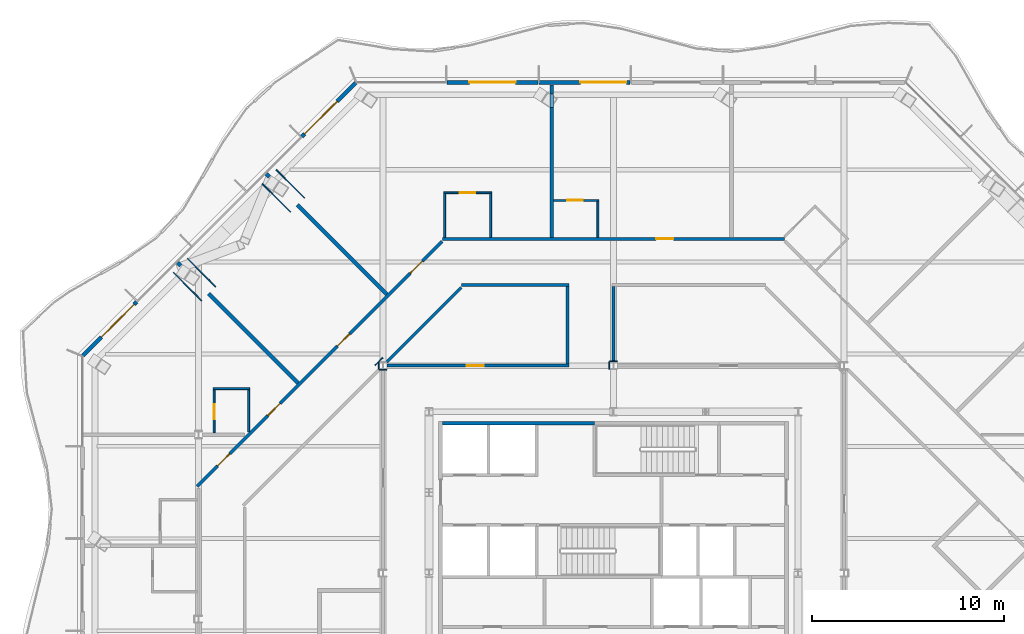
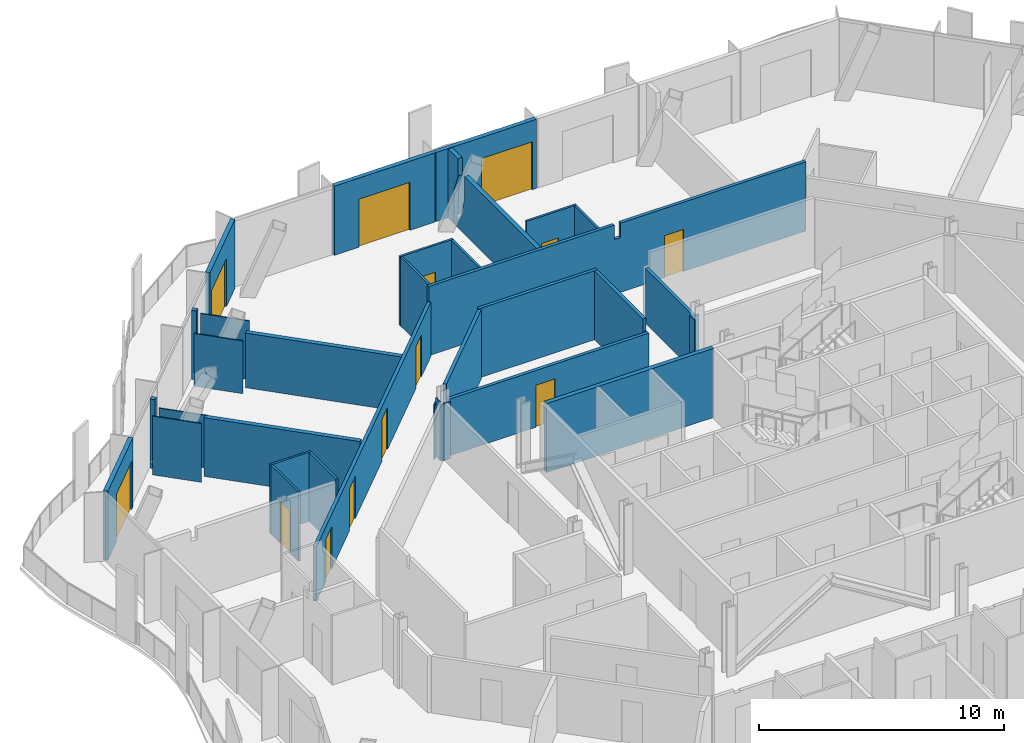
# One storey, part 12 of 21: 35 walls, 13 doors, 13 openings.
"""IFC4 building model written with IfcOpenShell, lengths in metres."""

from ifc_helpers import new_model, si_unit, direction, frame, frame_2d, origin, place, context, subcontext, project, spatial, polyline, rectangle, outline, extrude, material, layer, layer_set, type_object, element, fill, save


model = new_model("IFC4")

# Units and contexts
model_context = context("Model", 3, precision=1e-05, world=origin(), true_north=direction((0.0, 1.0)))
body_context = subcontext(model_context, "Body", "Model", "MODEL_VIEW")
ifc_project = project(units=[si_unit("LENGTHUNIT", "METRE"), si_unit("AREAUNIT", "SQUARE_METRE"), si_unit("VOLUMEUNIT", "CUBIC_METRE"), si_unit("PLANEANGLEUNIT", "RADIAN"), si_unit("MASSUNIT", "GRAM", prefix="KILO")], contexts=[model_context])

# Site, building, storey
site_placement = place(None, origin())
site = spatial("IfcSite", under=ifc_project, at=site_placement, CompositionType="ELEMENT")
building_placement = place(site_placement, origin())
building = spatial("IfcBuilding", under=site, at=building_placement, Name="Cairn Pilgrim Tower", CompositionType="ELEMENT")
storey_placement = place(building_placement, frame((0.0, 0.0, 179.39990234375)))
storey = spatial("IfcBuildingStorey", under=building, at=storey_placement, Name="L45", CompositionType="ELEMENT", Elevation=179.39990234375)

# Wall, opening, door
ifc_material_1 = material(Name="Bronze anodised aluminium insulated sandwich panel with mineral wool fill", Category="aluminium")
ifc_layer_1 = layer(ifc_material_1, 0.199951171875)
ifc_layer_set_1 = layer_set([ifc_layer_1], Name="BRONZE INFILL FRAME WALL 200")
wall_type_1 = type_object("IfcWallType", Name="BRONZE INFILL FRAME WALL 200", PredefinedType="NOTDEFINED", material=ifc_layer_set_1)
wall_1_placement = place(storey_placement, frame((8.070068359375, 27.949951171875, 0.0), z_axis=(0.0, 0.0, 1.0), x_axis=(-1.0, 0.0, 0.0)))
wall_1 = element("IfcWall", 1, at=wall_1_placement, inside=storey, type_object=wall_type_1, Name="Bronze infill frame wall IW-N4", PredefinedType="NOTDEFINED", context=body_context, shape_type="SweptSolid", body=[
    extrude(rectangle(XDim=4.739990234375, YDim=0.199951171875, at=frame_2d((2.3701171875, 0.0))), origin(), (0.0, 0.0, 1.0), 3.4501953125),
])
opening_1_placement = place(wall_1_placement, frame((0.199951171875, 0.0, 0.0)))
opening_1 = element("IfcOpeningElement", 2, at=opening_1_placement, cuts=wall_1, Name="Opening 4510B2", PredefinedType="OPENING", context=body_context, shape_type="SweptSolid", body=[
    extrude(rectangle(XDim=2.39990234375, YDim=2.39990234375, at=frame_2d((1.199951171875, 1.199951171875))), frame((0.0, 0.10986328125, 0.0), z_axis=(0.0, -1.0, 0.0), x_axis=(1.0, 0.0, 0.0)), (0.0, 0.0, 1.0), 0.219970703125),
])
ifc_material_2 = material(Name="Bronze anodised aluminium frame with tinted low-E glass", Category="aluminium")
door_type_1 = type_object("IfcDoorType", Name="BALCONY SLIDING DOOR 2400x2400", OperationType="DOUBLE_DOOR_SLIDING", PredefinedType="DOOR", material=ifc_material_2)
door_1_placement = place(opening_1_placement, origin())
door_1 = element("IfcDoor", 3, at=door_1_placement, inside=storey, type_object=door_type_1, Name="Balcony sliding door 4510B2", OperationType="SINGLE_SWING_LEFT", OverallHeight=2.39990234375, OverallWidth=2.39990234375, PredefinedType="DOOR", context=body_context, shape_type="SweptSolid", body=[
    extrude(rectangle(XDim=2.39990234375, YDim=2.39990234375, at=frame_2d((1.199951171875, 1.199951171875))), frame((0.0, 0.02490234375, 0.0), z_axis=(0.0, -1.0, 0.0), x_axis=(1.0, 0.0, 0.0)), (0.0, 0.0, 1.0), 0.050048828125),
])
fill(opening_1, door_1)

wall_2_placement = place(storey_placement, frame((3.27001953125, 27.949951171875, 0.0), z_axis=(0.0, 0.0, 1.0), x_axis=(-1.0, 0.0, 0.0)))
wall_2 = element("IfcWall", 4, at=wall_2_placement, inside=storey, type_object=wall_type_1, Name="Bronze infill frame wall IW-N5", PredefinedType="NOTDEFINED", context=body_context, shape_type="SweptSolid", body=[
    extrude(rectangle(XDim=4.739990234375, YDim=0.199951171875, at=frame_2d((2.3701171875, 0.0))), origin(), (0.0, 0.0, 1.0), 3.4501953125),
])
opening_2_placement = place(wall_2_placement, frame((1.170166015625, 0.0, 0.0)))
opening_2 = element("IfcOpeningElement", 5, at=opening_2_placement, cuts=wall_2, Name="Opening 4511B", PredefinedType="OPENING", context=body_context, shape_type="SweptSolid", body=[
    extrude(rectangle(XDim=2.39990234375, YDim=2.39990234375, at=frame_2d((1.199951171875, 1.199951171875))), frame((0.0, 0.10986328125, 0.0), z_axis=(0.0, -1.0, 0.0), x_axis=(1.0, 0.0, 0.0)), (0.0, 0.0, 1.0), 0.219970703125),
])
door_2_placement = place(opening_2_placement, origin())
door_2 = element("IfcDoor", 6, at=door_2_placement, inside=storey, type_object=door_type_1, Name="Balcony sliding door 4511B", OperationType="SINGLE_SWING_LEFT", OverallHeight=2.39990234375, OverallWidth=2.39990234375, PredefinedType="DOOR", context=body_context, shape_type="SweptSolid", body=[
    extrude(rectangle(XDim=2.39990234375, YDim=2.39990234375, at=frame_2d((1.199951171875, 1.199951171875))), frame((0.0, 0.02490234375, 0.0), z_axis=(0.0, -1.0, 0.0), x_axis=(1.0, 0.0, 0.0)), (0.0, 0.0, 1.0), 0.050048828125),
])
fill(opening_2, door_2)

wall_3_placement = place(storey_placement, frame((-6.224609375, 27.921630859375, 0.0), z_axis=(0.0, 0.0, 1.0), x_axis=(-0.707137595296, -0.707075965734, 0.0)))
wall_3 = element("IfcWall", 7, at=wall_3_placement, inside=storey, type_object=wall_type_1, Name="Bronze infill frame wall IW-NW1", PredefinedType="NOTDEFINED", context=body_context, shape_type="SweptSolid", body=[
    extrude(rectangle(XDim=3.96142578125, YDim=0.199951171875, at=frame_2d((1.980712890625, 0.0))), origin(), (0.0, 0.0, 1.0), 3.4501953125),
])
opening_3_placement = place(wall_3_placement, frame((1.361572265625, 0.0, 0.0)))
opening_3 = element("IfcOpeningElement", 8, at=opening_3_placement, cuts=wall_3, Name="Opening 4511B2", PredefinedType="OPENING", context=body_context, shape_type="SweptSolid", body=[
    extrude(rectangle(XDim=2.39990234375, YDim=2.39990234375, at=frame_2d((1.199951171875, 1.199951171875))), frame((0.0, 0.10986328125, 0.0), z_axis=(0.0, -1.0, 0.0), x_axis=(1.0, 0.0, 0.0)), (0.0, 0.0, 1.0), 0.219970703125),
])
door_3_placement = place(opening_3_placement, origin())
door_3 = element("IfcDoor", 9, at=door_3_placement, inside=storey, type_object=door_type_1, Name="Balcony sliding door 4511B2", OperationType="SINGLE_SWING_LEFT", OverallHeight=2.39990234375, OverallWidth=2.39990234375, PredefinedType="DOOR", context=body_context, shape_type="SweptSolid", body=[
    extrude(rectangle(XDim=2.39990234375, YDim=2.39990234375, at=frame_2d((1.199951171875, 1.199951171875))), frame((0.0, 0.02490234375, 0.0), z_axis=(0.0, -1.0, 0.0), x_axis=(1.0, 0.0, 0.0)), (0.0, 0.0, 1.0), 0.050048828125),
])
fill(opening_3, door_3)

wall_4_placement = place(storey_placement, frame((-17.62060546875, 16.52587890625, 0.0), z_axis=(0.0, 0.0, 1.0), x_axis=(-0.707075965734, -0.707137595296, 0.0)))
wall_4 = element("IfcWall", 10, at=wall_4_placement, inside=storey, type_object=wall_type_1, Name="Bronze infill frame wall IW-NW5", PredefinedType="NOTDEFINED", context=body_context, shape_type="SweptSolid", body=[
    extrude(rectangle(XDim=3.96142578125, YDim=0.199951171875, at=frame_2d((1.980712890625, 0.0))), origin(), (0.0, 0.0, 1.0), 3.4501953125),
])
opening_4_placement = place(wall_4_placement, frame((0.199951171875, 0.0, 0.0)))
opening_4 = element("IfcOpeningElement", 11, at=opening_4_placement, cuts=wall_4, Name="Opening 4513B", PredefinedType="OPENING", context=body_context, shape_type="SweptSolid", body=[
    extrude(rectangle(XDim=2.39990234375, YDim=2.39990234375, at=frame_2d((1.199951171875, 1.199951171875))), frame((0.0, 0.10986328125, 0.0), z_axis=(0.0, -1.0, 0.0), x_axis=(1.0, 0.0, 0.0)), (0.0, 0.0, 1.0), 0.219970703125),
])
door_4_placement = place(opening_4_placement, origin())
door_4 = element("IfcDoor", 12, at=door_4_placement, inside=storey, type_object=door_type_1, Name="Balcony sliding door 4513B", OperationType="SINGLE_SWING_LEFT", OverallHeight=2.39990234375, OverallWidth=2.39990234375, PredefinedType="DOOR", context=body_context, shape_type="SweptSolid", body=[
    extrude(rectangle(XDim=2.39990234375, YDim=2.39990234375, at=frame_2d((1.199951171875, 1.199951171875))), frame((0.0, 0.02490234375, 0.0), z_axis=(0.0, -1.0, 0.0), x_axis=(1.0, 0.0, 0.0)), (0.0, 0.0, 1.0), 0.050048828125),
])
fill(opening_4, door_4)

# Wall
ifc_material_3 = material(Name="Concrete C32/40", Category="concrete")
ifc_layer_2 = layer(ifc_material_3, 0.199951171875)
ifc_layer_set_2 = layer_set([ifc_layer_2], Name="CORE OUTER WALL 200 EI 120")
wall_type_2 = type_object("IfcWallType", Name="CORE OUTER WALL 200 EI 120", PredefinedType="SOLIDWALL", material=ifc_layer_set_2)
wall_5_placement = place(storey_placement, frame((-1.699951171875, 10.199951171875, 0.0), z_axis=(0.0, 0.0, 1.0), x_axis=(1.0, 0.0, 0.0)))
element("IfcWall", 13, at=wall_5_placement, inside=storey, type_object=wall_type_2, Name="CW:L45:H12-1", PredefinedType="SOLIDWALL", context=body_context, shape_type="SweptSolid", body=[
    extrude(rectangle(XDim=7.89990234375, YDim=0.199951171875, at=frame_2d((3.949951171875, 0.0))), origin(), (0.0, 0.0, 1.0), 3.4501953125),
])

# Wall, opening, door
ifc_material_4 = material(Name="Gypsum partition")
ifc_layer_3 = layer(ifc_material_4, 0.10009765625)
ifc_layer_set_3 = layer_set([ifc_layer_3], Name="PARTITION 100 DRYWALL")
wall_type_3 = type_object("IfcWallType", Name="PARTITION 100 DRYWALL", PredefinedType="PARTITIONING", material=ifc_layer_set_3)
wall_6_placement = place(storey_placement, frame((-13.593994140625, 9.699951171875, 0.0), z_axis=(0.0, 0.0, 1.0), x_axis=(0.0, 1.0, 0.0)))
wall_6 = element("IfcWall", 14, at=wall_6_placement, inside=storey, type_object=wall_type_3, Name="PARTITION W072", PredefinedType="PARTITIONING", context=body_context, shape_type="SweptSolid", body=[
    extrude(rectangle(XDim=2.25, YDim=0.10009765625, at=frame_2d((1.125, 0.0))), origin(), (0.0, 0.0, 1.0), 3.4501953125),
])
opening_5_placement = place(wall_6_placement, frame((0.699951171875, 0.0, 0.0)))
opening_5 = element("IfcOpeningElement", 15, at=opening_5_placement, cuts=wall_6, Name="Opening 4513A", PredefinedType="OPENING", context=body_context, shape_type="SweptSolid", body=[
    extrude(rectangle(XDim=0.800048828125, YDim=2.10009765625, at=frame_2d((0.39990234375, 1.050048828125))), frame((0.0, 0.06005859375, 0.0), z_axis=(0.0, -1.0, 0.0), x_axis=(1.0, 0.0, 0.0)), (0.0, 0.0, 1.0), 0.1201171875),
])
ifc_material_5 = material(Name="Timber door leaf", Category="wood")
door_type_2 = type_object("IfcDoorType", Name="WC DOOR 800x2100", OperationType="NOTDEFINED", PredefinedType="DOOR", material=ifc_material_5)
door_5_placement = place(opening_5_placement, origin())
door_5 = element("IfcDoor", 16, at=door_5_placement, inside=storey, type_object=door_type_2, Name="DOOR 4513A", OperationType="SINGLE_SWING_LEFT", OverallHeight=2.10009765625, OverallWidth=0.800048828125, PredefinedType="DOOR", context=body_context, shape_type="SweptSolid", body=[
    extrude(rectangle(XDim=0.800048828125, YDim=2.10009765625, at=frame_2d((0.39990234375, 1.050048828125))), frame((0.0, 0.02490234375, 0.0), z_axis=(0.0, -1.0, 0.0), x_axis=(1.0, 0.0, 0.0)), (0.0, 0.0, 1.0), 0.050048828125),
])
fill(opening_5, door_5)

# Walls
wall_7_placement = place(storey_placement, frame((-11.7939453125, 9.756103515625, 0.0), z_axis=(0.0, 0.0, 1.0), x_axis=(0.0, 1.0, 0.0)))
element("IfcWall", 17, at=wall_7_placement, inside=storey, type_object=wall_type_3, Name="PARTITION W073", PredefinedType="PARTITIONING", context=body_context, shape_type="SweptSolid", body=[
    extrude(rectangle(XDim=2.19384765625, YDim=0.10009765625, at=frame_2d((1.096923828125, 0.0))), origin(), (0.0, 0.0, 1.0), 3.4501953125),
])
wall_8_placement = place(storey_placement, frame((-13.64404296875, 12.0, 0.0), z_axis=(0.0, 0.0, 1.0), x_axis=(1.0, 0.0, 0.0)))
element("IfcWall", 18, at=wall_8_placement, inside=storey, type_object=wall_type_3, Name="PARTITION W075", PredefinedType="PARTITIONING", context=body_context, shape_type="SweptSolid", body=[
    extrude(rectangle(XDim=1.900146484375, YDim=0.10009765625, at=frame_2d((0.9501953125, 0.0))), origin(), (0.0, 0.0, 1.0), 3.4501953125),
])
for number, where, z_axis, x_axis, name in (
    (19, (-1.593994140625, 19.875, 0.0), (0.0, 0.0, 1.0), (0.0, 1.0, 0.0), "PARTITION W091"),
    (20, (0.805908203125, 19.875, 0.0), (0.0, 0.0, 1.0), (0.0, 1.0, 0.0), "PARTITION W092"),
):
    element("IfcWall", number, at=place(storey_placement, frame(where, z_axis=z_axis, x_axis=x_axis)), inside=storey, type_object=wall_type_3, Name=name, PredefinedType="PARTITIONING", context=body_context, shape_type="SweptSolid", body=[
        extrude(rectangle(XDim=2.27490234375, YDim=0.10009765625, at=frame_2d((1.137451171875, 0.0))), origin(), (0.0, 0.0, 1.0), 3.4501953125),
    ])
wall_9_placement = place(storey_placement, frame((6.386962890625, 19.875, 0.0), z_axis=(0.0, 0.0, 1.0), x_axis=(0.0, 1.0, 0.0)))
element("IfcWall", 21, at=wall_9_placement, inside=storey, type_object=wall_type_3, Name="PARTITION W094", PredefinedType="PARTITIONING", context=body_context, shape_type="SweptSolid", body=[
    extrude(rectangle(XDim=1.875, YDim=0.10009765625, at=frame_2d((0.9375, 0.0))), origin(), (0.0, 0.0, 1.0), 3.4501953125),
])

# Wall, opening, door
wall_10_placement = place(storey_placement, frame((4.0869140625, 21.800048828125, 0.0), z_axis=(0.0, 0.0, 1.0), x_axis=(1.0, 0.0, 0.0)))
wall_10 = element("IfcWall", 22, at=wall_10_placement, inside=storey, type_object=wall_type_3, Name="PARTITION W097", PredefinedType="PARTITIONING", context=body_context, shape_type="SweptSolid", body=[
    extrude(rectangle(XDim=2.35009765625, YDim=0.10009765625, at=frame_2d((1.175048828125, 0.0))), origin(), (0.0, 0.0, 1.0), 3.4501953125),
])
opening_6_placement = place(wall_10_placement, frame((0.699951171875, 0.0, 0.0)))
opening_6 = element("IfcOpeningElement", 23, at=opening_6_placement, cuts=wall_10, Name="Opening 4510A", PredefinedType="OPENING", context=body_context, shape_type="SweptSolid", body=[
    extrude(rectangle(XDim=0.800048828125, YDim=2.10009765625, at=frame_2d((0.39990234375, 1.050048828125))), frame((0.0, 0.06005859375, 0.0), z_axis=(0.0, -1.0, 0.0), x_axis=(1.0, 0.0, 0.0)), (0.0, 0.0, 1.0), 0.1201171875),
])
door_6_placement = place(opening_6_placement, origin())
door_6 = element("IfcDoor", 24, at=door_6_placement, inside=storey, type_object=door_type_2, Name="DOOR 4510A", OperationType="SINGLE_SWING_LEFT", OverallHeight=2.10009765625, OverallWidth=0.800048828125, PredefinedType="DOOR", context=body_context, shape_type="SweptSolid", body=[
    extrude(rectangle(XDim=0.800048828125, YDim=2.10009765625, at=frame_2d((0.39990234375, 1.050048828125))), frame((0.0, 0.02490234375, 0.0), z_axis=(0.0, -1.0, 0.0), x_axis=(1.0, 0.0, 0.0)), (0.0, 0.0, 1.0), 0.050048828125),
])
fill(opening_6, door_6)

wall_11_placement = place(storey_placement, frame((-1.64404296875, 22.199951171875, 0.0), z_axis=(0.0, 0.0, 1.0), x_axis=(1.0, 0.0, 0.0)))
wall_11 = element("IfcWall", 25, at=wall_11_placement, inside=storey, type_object=wall_type_3, Name="PARTITION W098", PredefinedType="PARTITIONING", context=body_context, shape_type="SweptSolid", body=[
    extrude(rectangle(XDim=2.5, YDim=0.10009765625, at=frame_2d((1.25, 0.0))), origin(), (0.0, 0.0, 1.0), 3.4501953125),
])
opening_7_placement = place(wall_11_placement, frame((0.85009765625, 0.0, 0.0)))
opening_7 = element("IfcOpeningElement", 26, at=opening_7_placement, cuts=wall_11, Name="Opening 4511A", PredefinedType="OPENING", context=body_context, shape_type="SweptSolid", body=[
    extrude(rectangle(XDim=0.800048828125, YDim=2.10009765625, at=frame_2d((0.39990234375, 1.050048828125))), frame((0.0, 0.06005859375, 0.0), z_axis=(0.0, -1.0, 0.0), x_axis=(1.0, 0.0, 0.0)), (0.0, 0.0, 1.0), 0.1201171875),
])
door_7_placement = place(opening_7_placement, origin())
door_7 = element("IfcDoor", 27, at=door_7_placement, inside=storey, type_object=door_type_2, Name="DOOR 4511A", OperationType="SINGLE_SWING_LEFT", OverallHeight=2.10009765625, OverallWidth=0.800048828125, PredefinedType="DOOR", context=body_context, shape_type="SweptSolid", body=[
    extrude(rectangle(XDim=0.800048828125, YDim=2.10009765625, at=frame_2d((0.39990234375, 1.050048828125))), frame((0.0, 0.02490234375, 0.0), z_axis=(0.0, -1.0, 0.0), x_axis=(1.0, 0.0, 0.0)), (0.0, 0.0, 1.0), 0.050048828125),
])
fill(opening_7, door_7)

# Wall, openings, doors
ifc_layer_4 = layer(ifc_material_4, 0.14990234375)
ifc_layer_set_4 = layer_set([ifc_layer_4], Name="PARTITION 150 DRYWALL EI 60")
wall_type_4 = type_object("IfcWallType", Name="PARTITION 150 DRYWALL EI 60", PredefinedType="PARTITIONING", material=ifc_layer_set_4)
wall_12_placement = place(storey_placement, frame((-14.47509765625, 6.9189453125, 0.0), z_axis=(0.0, 0.0, 1.0), x_axis=(0.707106781187, 0.707106781187, 0.0)))
wall_12 = element("IfcWall", 28, at=wall_12_placement, inside=storey, type_object=wall_type_4, Name="PARTITION W067", PredefinedType="PARTITIONING", context=body_context, shape_type="SweptSolid", body=[
    extrude(rectangle(XDim=18.03564453125, YDim=0.14990234375, at=frame_2d((9.017822265625, 0.0))), origin(), (0.0, 0.0, 1.0), 2.72998046875),
])
opening_8_placement = place(wall_12_placement, frame((15.682861328125, 0.0, 0.0)))
opening_8 = element("IfcOpeningElement", 29, at=opening_8_placement, cuts=wall_12, Name="Opening 4511", PredefinedType="OPENING", context=body_context, shape_type="SweptSolid", body=[
    extrude(rectangle(XDim=0.89990234375, YDim=2.10009765625, at=frame_2d((0.449951171875, 1.050048828125))), frame((0.0, 0.0849609375, 0.0), z_axis=(0.0, -1.0, 0.0), x_axis=(1.0, 0.0, 0.0)), (0.0, 0.0, 1.0), 0.169921875),
])
opening_9_placement = place(wall_12_placement, frame((10.32958984375, 0.0, 0.0)))
opening_9 = element("IfcOpeningElement", 30, at=opening_9_placement, cuts=wall_12, Name="Opening 4512", PredefinedType="OPENING", context=body_context, shape_type="SweptSolid", body=[
    extrude(rectangle(XDim=0.89990234375, YDim=2.10009765625, at=frame_2d((0.449951171875, 1.050048828125))), frame((0.0, 0.0849609375, 0.0), z_axis=(0.0, -1.0, 0.0), x_axis=(1.0, 0.0, 0.0)), (0.0, 0.0, 1.0), 0.169921875),
])
opening_10_placement = place(wall_12_placement, frame((5.200439453125, 0.0, 0.0)))
opening_10 = element("IfcOpeningElement", 31, at=opening_10_placement, cuts=wall_12, Name="Opening 4513", PredefinedType="OPENING", context=body_context, shape_type="SweptSolid", body=[
    extrude(rectangle(XDim=0.89990234375, YDim=2.10009765625, at=frame_2d((0.449951171875, 1.050048828125))), frame((0.0, 0.0849609375, 0.0), z_axis=(0.0, -1.0, 0.0), x_axis=(1.0, 0.0, 0.0)), (0.0, 0.0, 1.0), 0.169921875),
])
opening_11_placement = place(wall_12_placement, frame((1.4990234375, 0.0, 0.0)))
opening_11 = element("IfcOpeningElement", 32, at=opening_11_placement, cuts=wall_12, Name="Opening 4514", PredefinedType="OPENING", context=body_context, shape_type="SweptSolid", body=[
    extrude(rectangle(XDim=0.89990234375, YDim=2.10009765625, at=frame_2d((0.449951171875, 1.050048828125))), frame((0.0, 0.0849609375, 0.0), z_axis=(0.0, -1.0, 0.0), x_axis=(1.0, 0.0, 0.0)), (0.0, 0.0, 1.0), 0.169921875),
])
door_type_3 = type_object("IfcDoorType", Name="ROOM DOOR 900x2100 FD30S", OperationType="NOTDEFINED", PredefinedType="DOOR", material=ifc_material_5)
door_8_placement = place(opening_8_placement, origin())
door_8 = element("IfcDoor", 33, at=door_8_placement, inside=storey, type_object=door_type_3, Name="DOOR 4511", OperationType="SINGLE_SWING_LEFT", OverallHeight=2.10009765625, OverallWidth=0.89990234375, PredefinedType="DOOR", context=body_context, shape_type="SweptSolid", body=[
    extrude(rectangle(XDim=0.89990234375, YDim=2.10009765625, at=frame_2d((0.449951171875, 1.050048828125))), frame((0.0, 0.02490234375, 0.0), z_axis=(0.0, -1.0, 0.0), x_axis=(1.0, 0.0, 0.0)), (0.0, 0.0, 1.0), 0.050048828125),
])
fill(opening_8, door_8)
door_9_placement = place(opening_10_placement, origin())
door_9 = element("IfcDoor", 34, at=door_9_placement, inside=storey, type_object=door_type_3, Name="DOOR 4513", OperationType="SINGLE_SWING_LEFT", OverallHeight=2.10009765625, OverallWidth=0.89990234375, PredefinedType="DOOR", context=body_context, shape_type="SweptSolid", body=[
    extrude(rectangle(XDim=0.89990234375, YDim=2.10009765625, at=frame_2d((0.449951171875, 1.050048828125))), frame((0.0, 0.02490234375, 0.0), z_axis=(0.0, -1.0, 0.0), x_axis=(1.0, 0.0, 0.0)), (0.0, 0.0, 1.0), 0.050048828125),
])
fill(opening_10, door_9)
door_10_placement = place(opening_11_placement, origin())
door_10 = element("IfcDoor", 35, at=door_10_placement, inside=storey, type_object=door_type_3, Name="DOOR 4514", OperationType="SINGLE_SWING_LEFT", OverallHeight=2.10009765625, OverallWidth=0.89990234375, PredefinedType="DOOR", context=body_context, shape_type="SweptSolid", body=[
    extrude(rectangle(XDim=0.89990234375, YDim=2.10009765625, at=frame_2d((0.449951171875, 1.050048828125))), frame((0.0, 0.02490234375, 0.0), z_axis=(0.0, -1.0, 0.0), x_axis=(1.0, 0.0, 0.0)), (0.0, 0.0, 1.0), 0.050048828125),
])
fill(opening_11, door_10)
door_type_4 = type_object("IfcDoorType", Name="SERVICE DOOR 900x2100 FD30S", OperationType="NOTDEFINED", PredefinedType="DOOR", material=ifc_material_5)
door_11_placement = place(opening_9_placement, origin())
door_11 = element("IfcDoor", 36, at=door_11_placement, inside=storey, type_object=door_type_4, Name="DOOR 4512", OperationType="SINGLE_SWING_LEFT", OverallHeight=2.10009765625, OverallWidth=0.89990234375, PredefinedType="DOOR", context=body_context, shape_type="SweptSolid", body=[
    extrude(rectangle(XDim=0.89990234375, YDim=2.10009765625, at=frame_2d((0.449951171875, 1.050048828125))), frame((0.0, 0.02490234375, 0.0), z_axis=(0.0, -1.0, 0.0), x_axis=(1.0, 0.0, 0.0)), (0.0, 0.0, 1.0), 0.050048828125),
])
fill(opening_9, door_11)

# Wall, opening, door
wall_13_placement = place(storey_placement, frame((-4.6005859375, 13.199951171875, 0.0), z_axis=(0.0, 0.0, 1.0), x_axis=(1.0, 0.0, 0.0)))
wall_13 = element("IfcWall", 37, at=wall_13_placement, inside=storey, type_object=wall_type_4, Name="PARTITION W077", PredefinedType="PARTITIONING", context=body_context, shape_type="SweptSolid", body=[
    extrude(rectangle(XDim=9.4755859375, YDim=0.14990234375, at=frame_2d((4.73779296875, 0.0))), origin(), (0.0, 0.0, 1.0), 2.830078125),
])
opening_12_placement = place(wall_13_placement, frame((4.150634765625, 0.0, 0.0)))
opening_12 = element("IfcOpeningElement", 38, at=opening_12_placement, cuts=wall_13, Name="Opening 4526", PredefinedType="OPENING", context=body_context, shape_type="SweptSolid", body=[
    extrude(rectangle(XDim=0.89990234375, YDim=2.10009765625, at=frame_2d((0.449951171875, 1.050048828125))), frame((0.0, 0.0849609375, 0.0), z_axis=(0.0, -1.0, 0.0), x_axis=(1.0, 0.0, 0.0)), (0.0, 0.0, 1.0), 0.169921875),
])
door_12_placement = place(opening_12_placement, origin())
door_12 = element("IfcDoor", 39, at=door_12_placement, inside=storey, type_object=door_type_4, Name="DOOR 4526", OperationType="SINGLE_SWING_RIGHT", OverallHeight=2.10009765625, OverallWidth=0.89990234375, PredefinedType="DOOR", context=body_context, shape_type="SweptSolid", body=[
    extrude(rectangle(XDim=0.89990234375, YDim=2.10009765625, at=frame_2d((0.449951171875, 1.050048828125))), frame((0.0, 0.02490234375, 0.0), z_axis=(0.0, -1.0, 0.0), x_axis=(1.0, 0.0, 0.0)), (0.0, 0.0, 1.0), 0.050048828125),
])
fill(opening_12, door_12)

# Walls
wall_14_placement = place(storey_placement, frame((4.800048828125, 13.27490234375, 0.0), z_axis=(0.0, 0.0, 1.0), x_axis=(0.0, 1.0, 0.0)))
element("IfcWall", 40, at=wall_14_placement, inside=storey, type_object=wall_type_4, Name="PARTITION W079", PredefinedType="PARTITIONING", context=body_context, shape_type="SweptSolid", body=[
    extrude(outline(polyline([(0.0, 0.0), (4.050048828125, 0.0), (4.050048828125, 3.4501953125), (0.074951171875, 3.4501953125), (0.072998046875, 2.830078125), (0.0, 2.830078125), (0.0, 0.0)])), frame((0.0, 0.074951171875, 0.0), z_axis=(0.0, -1.0, 0.0), x_axis=(1.0, 0.0, 0.0)), (0.0, 0.0, 1.0), 0.14990234375),
])
wall_15_placement = place(storey_placement, frame((-4.60205078125, 13.39794921875, 0.0), z_axis=(0.0, 0.0, 1.0), x_axis=(0.707106781187, 0.707106781187, 0.0)))
element("IfcWall", 41, at=wall_15_placement, inside=storey, type_object=wall_type_4, Name="PARTITION W080", PredefinedType="PARTITIONING", context=body_context, shape_type="SweptSolid", body=[
    extrude(rectangle(XDim=5.478759765625, YDim=0.14990234375, at=frame_2d((2.7392578125, 0.0))), origin(), (0.0, 0.0, 1.0), 3.4501953125),
])
wall_16_placement = place(storey_placement, frame((7.199951171875, 13.396484375, 0.0), z_axis=(0.0, 0.0, 1.0), x_axis=(0.0, 1.0, 0.0)))
element("IfcWall", 42, at=wall_16_placement, inside=storey, type_object=wall_type_4, Name="PARTITION W081", PredefinedType="PARTITIONING", context=body_context, shape_type="SweptSolid", body=[
    extrude(rectangle(XDim=3.928466796875, YDim=0.14990234375, at=frame_2d((1.96435546875, 0.0))), origin(), (0.0, 0.0, 1.0), 2.72998046875),
])
wall_17_placement = place(storey_placement, frame((-0.7060546875, 17.39990234375, 0.0), z_axis=(0.0, 0.0, 1.0), x_axis=(1.0, 0.0, 0.0)))
element("IfcWall", 43, at=wall_17_placement, inside=storey, type_object=wall_type_4, Name="PARTITION W085", PredefinedType="PARTITIONING", context=body_context, shape_type="SweptSolid", body=[
    extrude(rectangle(XDim=5.5810546875, YDim=0.14990234375, at=frame_2d((2.79052734375, 0.0))), origin(), (0.0, 0.0, 1.0), 3.4501953125),
])

# Wall, opening, door
wall_18_placement = place(storey_placement, frame((-1.7001953125, 19.800048828125, 0.0), z_axis=(0.0, 0.0, 1.0), x_axis=(1.0, 0.0, 0.0)))
wall_18 = element("IfcWall", 44, at=wall_18_placement, inside=storey, type_object=wall_type_4, Name="PARTITION W089", PredefinedType="PARTITIONING", context=body_context, shape_type="SweptSolid", body=[
    extrude(outline(polyline([(0.0, 0.0), (17.80029296875, 0.0), (17.800048828125, 3.4501953125), (9.050048828125, 3.4501953125), (9.048095703125, 2.72998046875), (8.75, 2.72998046875), (8.748046875, 3.4501953125), (0.0, 3.4501953125), (0.0, 0.0)])), frame((0.0, 0.074951171875, 0.0), z_axis=(0.0, -1.0, 0.0), x_axis=(1.0, 0.0, 0.0)), (0.0, 0.0, 1.0), 0.14990234375),
])
opening_13_placement = place(wall_18_placement, frame((11.113037109375, 0.0, 0.0)))
opening_13 = element("IfcOpeningElement", 45, at=opening_13_placement, cuts=wall_18, Name="Opening 4510", PredefinedType="OPENING", context=body_context, shape_type="SweptSolid", body=[
    extrude(rectangle(XDim=0.89990234375, YDim=2.10009765625, at=frame_2d((0.449951171875, 1.050048828125))), frame((0.0, 0.0849609375, 0.0), z_axis=(0.0, -1.0, 0.0), x_axis=(1.0, 0.0, 0.0)), (0.0, 0.0, 1.0), 0.169921875),
])
door_13_placement = place(opening_13_placement, origin())
door_13 = element("IfcDoor", 46, at=door_13_placement, inside=storey, type_object=door_type_3, Name="DOOR 4510", OperationType="SINGLE_SWING_LEFT", OverallHeight=2.10009765625, OverallWidth=0.89990234375, PredefinedType="DOOR", context=body_context, shape_type="SweptSolid", body=[
    extrude(rectangle(XDim=0.89990234375, YDim=2.10009765625, at=frame_2d((0.449951171875, 1.050048828125))), frame((0.0, 0.02490234375, 0.0), z_axis=(0.0, -1.0, 0.0), x_axis=(1.0, 0.0, 0.0)), (0.0, 0.0, 1.0), 0.050048828125),
])
fill(opening_13, door_13)

# Walls
ifc_layer_5 = layer(ifc_material_4, 0.050048828125)
ifc_layer_set_5 = layer_set([ifc_layer_5], Name="PARTITION 50 DRYWALL EI 60")
wall_type_5 = type_object("IfcWallType", Name="PARTITION 50 DRYWALL EI 60", PredefinedType="PARTITIONING", material=ifc_layer_set_5)
wall_19_placement = place(storey_placement, frame((-5.0244140625, 13.00341796875, 0.0), z_axis=(0.0, 0.0, 1.0), x_axis=(0.0, 1.0, 0.0)))
element("IfcWall", 47, at=wall_19_placement, inside=storey, type_object=wall_type_5, Name="COLUMN CASING WC16", PredefinedType="PARTITIONING", context=body_context, shape_type="SweptSolid", body=[
    extrude(rectangle(XDim=0.39306640625, YDim=0.050048828125, at=frame_2d((0.196533203125, 0.0))), origin(), (0.0, 0.0, 1.0), 2.93017578125),
])
wall_20_placement = place(storey_placement, frame((-5.213623046875, 13.2177734375, 0.0), z_axis=(0.0, 0.0, 1.0), x_axis=(0.707106781187, 0.707106781187, 0.0)))
element("IfcWall", 48, at=wall_20_placement, inside=storey, type_object=wall_type_5, Name="COLUMN CASING WC21", PredefinedType="PARTITIONING", context=body_context, shape_type="SweptSolid", body=[
    extrude(rectangle(XDim=0.56005859375, YDim=0.050048828125, at=frame_2d((0.280029296875, 0.0))), origin(), (0.0, 0.0, 1.0), 2.72998046875),
])
wall_21_placement = place(storey_placement, frame((-14.244384765625, 16.580078125, 0.0), z_axis=(0.0, 0.0, 1.0), x_axis=(-0.70716568957, 0.707047867895, 0.0)))
element("IfcWall", 49, at=wall_21_placement, inside=storey, type_object=wall_type_5, Name="COLUMN CASING WC26", PredefinedType="PARTITIONING", context=body_context, shape_type="SweptSolid", body=[
    extrude(rectangle(XDim=2.072021484375, YDim=0.050048828125, at=frame_2d((1.0361328125, 0.0))), origin(), (0.0, 0.0, 1.0), 2.93017578125),
])
wall_22_placement = place(storey_placement, frame((-13.516845703125, 17.307861328125, 0.0), z_axis=(0.0, 0.0, 1.0), x_axis=(-0.707106781187, 0.707106781187, 0.0)))
element("IfcWall", 50, at=wall_22_placement, inside=storey, type_object=wall_type_5, Name="COLUMN CASING WC27", PredefinedType="PARTITIONING", context=body_context, shape_type="SweptSolid", body=[
    extrude(rectangle(XDim=2.072021484375, YDim=0.050048828125, at=frame_2d((1.0361328125, 0.0))), origin(), (0.0, 0.0, 1.0), 2.630126953125),
])
wall_23_placement = place(storey_placement, frame((-4.99951171875, 12.978515625, 0.0), z_axis=(0.0, 0.0, 1.0), x_axis=(1.0, 0.0, 0.0)))
element("IfcWall", 51, at=wall_23_placement, inside=storey, type_object=wall_type_5, Name="COLUMN CASING WC28", PredefinedType="PARTITIONING", context=body_context, shape_type="SweptSolid", body=[
    extrude(rectangle(XDim=0.39892578125, YDim=0.050048828125, at=frame_2d((0.199462890625, 0.0))), origin(), (0.0, 0.0, 1.0), 2.830078125),
])
wall_24_placement = place(storey_placement, frame((7.00048828125, 13.42138671875, 0.0), z_axis=(0.0, 0.0, 1.0), x_axis=(1.0, 0.0, 0.0)))
element("IfcWall", 52, at=wall_24_placement, inside=storey, type_object=wall_type_5, Name="COLUMN CASING WC29", PredefinedType="PARTITIONING", context=body_context, shape_type="SweptSolid", body=[
    extrude(rectangle(XDim=0.39892578125, YDim=0.050048828125, at=frame_2d((0.199462890625, 0.0))), origin(), (0.0, 0.0, 1.0), 2.72998046875),
])
wall_25_placement = place(storey_placement, frame((6.9755859375, 13.00341796875, 0.0), z_axis=(0.0, 0.0, 1.0), x_axis=(0.0, 1.0, 0.0)))
element("IfcWall", 53, at=wall_25_placement, inside=storey, type_object=wall_type_5, Name="COLUMN CASING WC31", PredefinedType="PARTITIONING", context=body_context, shape_type="SweptSolid", body=[
    extrude(rectangle(XDim=0.39306640625, YDim=0.050048828125, at=frame_2d((0.196533203125, 0.0))), origin(), (0.0, 0.0, 1.0), 2.830078125),
])
wall_26_placement = place(storey_placement, frame((-9.620361328125, 21.204345703125, 0.0), z_axis=(0.0, 0.0, 1.0), x_axis=(-0.707106781187, 0.707106781187, 0.0)))
element("IfcWall", 54, at=wall_26_placement, inside=storey, type_object=wall_type_5, Name="COLUMN CASING WC34", PredefinedType="PARTITIONING", context=body_context, shape_type="SweptSolid", body=[
    extrude(rectangle(XDim=2.072021484375, YDim=0.050048828125, at=frame_2d((1.0361328125, 0.0))), origin(), (0.0, 0.0, 1.0), 2.630126953125),
])
wall_27_placement = place(storey_placement, frame((-8.892578125, 21.931884765625, 0.0), z_axis=(0.0, 0.0, 1.0), x_axis=(-0.707047867895, 0.70716568957, 0.0)))
element("IfcWall", 55, at=wall_27_placement, inside=storey, type_object=wall_type_5, Name="COLUMN CASING WC35", PredefinedType="PARTITIONING", context=body_context, shape_type="SweptSolid", body=[
    extrude(rectangle(XDim=2.072021484375, YDim=0.050048828125, at=frame_2d((1.0361328125, 0.0))), origin(), (0.0, 0.0, 1.0), 2.93017578125),
])
ifc_layer_6 = layer(ifc_material_4, 0.199951171875)
ifc_layer_set_6 = layer_set([ifc_layer_6], Name="SHAFT WALL 200 GYPSUM EI 60")
wall_type_6 = type_object("IfcWallType", Name="SHAFT WALL 200 GYPSUM EI 60", PredefinedType="PARTITIONING", material=ifc_layer_set_6)
wall_28_placement = place(storey_placement, frame((-9.218017578125, 12.281982421875, 0.0), z_axis=(0.0, 0.0, 1.0), x_axis=(-0.707106781187, 0.707106781187, 0.0)))
element("IfcWall", 56, at=wall_28_placement, inside=storey, type_object=wall_type_6, Name="PARTITION W076", PredefinedType="PARTITIONING", context=body_context, shape_type="SweptSolid", body=[
    extrude(rectangle(XDim=6.593505859375, YDim=0.199951171875, at=frame_2d((3.296875, 0.0))), origin(), (0.0, 0.0, 1.0), 2.93017578125),
])
wall_29_placement = place(storey_placement, frame((-4.593994140625, 16.906005859375, 0.0), z_axis=(0.0, 0.0, 1.0), x_axis=(-0.707106781187, 0.707106781187, 0.0)))
element("IfcWall", 57, at=wall_29_placement, inside=storey, type_object=wall_type_6, Name="PARTITION W084", PredefinedType="PARTITIONING", context=body_context, shape_type="SweptSolid", body=[
    extrude(rectangle(XDim=6.593505859375, YDim=0.199951171875, at=frame_2d((3.296875, 0.0))), origin(), (0.0, 0.0, 1.0), 2.72998046875),
])
wall_30_placement = place(storey_placement, frame((-15.345458984375, 18.409423828125, 0.0), z_axis=(0.0, 0.0, 1.0), x_axis=(-0.707106781187, 0.707106781187, 0.0)))
element("IfcWall", 58, at=wall_30_placement, inside=storey, type_object=wall_type_6, Name="PARTITION W088", PredefinedType="PARTITIONING", context=body_context, shape_type="SweptSolid", body=[
    extrude(rectangle(XDim=0.216796875, YDim=0.199951171875, at=frame_2d((0.1083984375, 0.0))), origin(), (0.0, 0.0, 1.0), 3.4501953125),
])
wall_31_placement = place(storey_placement, frame((3.987060546875, 19.875, 0.0), z_axis=(0.0, 0.0, 1.0), x_axis=(0.0, 1.0, 0.0)))
element("IfcWall", 59, at=wall_31_placement, inside=storey, type_object=wall_type_6, Name="PARTITION W093", PredefinedType="PARTITIONING", context=body_context, shape_type="SweptSolid", body=[
    extrude(outline(polyline([(0.0, 0.0), (7.439697265625, 0.0), (6.855712890625, 0.862548828125), (6.622802734375, 1.72509765625), (6.622802734375, 2.587646484375), (6.622802734375, 2.880126953125), (0.0, 2.880126953125), (0.0, 2.587646484375), (0.0, 1.72509765625), (0.0, 0.862548828125), (0.0, 0.0)])), frame((0.0, 0.10009765625, 0.0), z_axis=(0.0, -1.0, 0.0), x_axis=(1.0, 0.0, 0.0)), (0.0, 0.0, 1.0), 0.199951171875),
])
wall_32_placement = place(storey_placement, frame((-10.721435546875, 23.033447265625, 0.0), z_axis=(0.0, 0.0, 1.0), x_axis=(-0.707106781187, 0.707106781187, 0.0)))
element("IfcWall", 60, at=wall_32_placement, inside=storey, type_object=wall_type_6, Name="PARTITION W099", PredefinedType="PARTITIONING", context=body_context, shape_type="SweptSolid", body=[
    extrude(rectangle(XDim=0.216796875, YDim=0.199951171875, at=frame_2d((0.1083984375, 0.0))), origin(), (0.0, 0.0, 1.0), 3.4501953125),
])
wall_33_placement = place(storey_placement, frame((3.987060546875, 27.018310546875, 0.0), z_axis=(0.0, 0.0, 1.0), x_axis=(0.0, 1.0, 0.0)))
element("IfcWall", 61, at=wall_33_placement, inside=storey, type_object=wall_type_6, Name="PARTITION W100", PredefinedType="PARTITIONING", context=body_context, shape_type="SweptSolid", body=[
    extrude(outline(polyline([(0.333740234375, 0.0), (0.8017578125, 0.0), (0.8017578125, 0.862548828125), (0.8017578125, 1.72509765625), (0.8017578125, 2.587646484375), (0.8017578125, 3.4501953125), (0.0, 3.4501953125), (0.0, 2.587646484375), (0.318603515625, 1.72509765625), (0.333740234375, 0.862548828125), (0.333740234375, 0.0)])), frame((0.0, 0.10009765625, 0.0), z_axis=(0.0, -1.0, 0.0), x_axis=(1.0, 0.0, 0.0)), (0.0, 0.0, 1.0), 0.199951171875),
])

save(model, "model.ifc")
